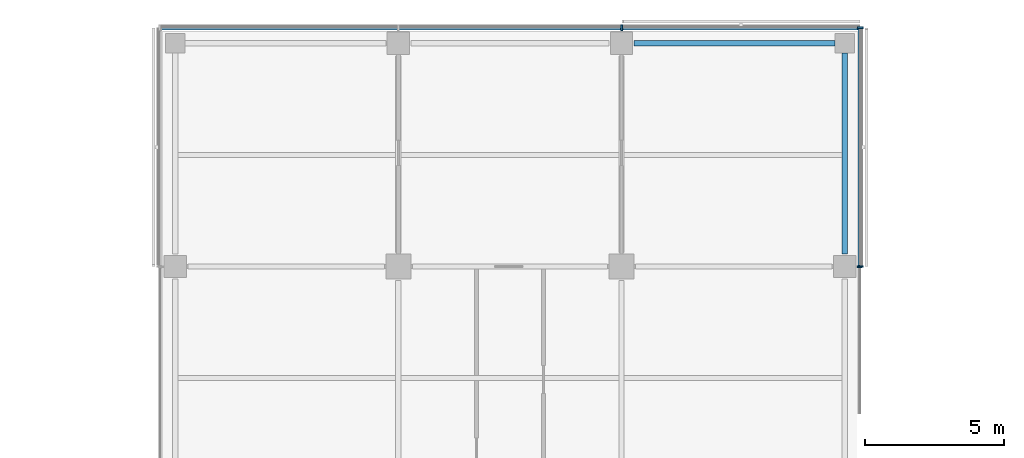
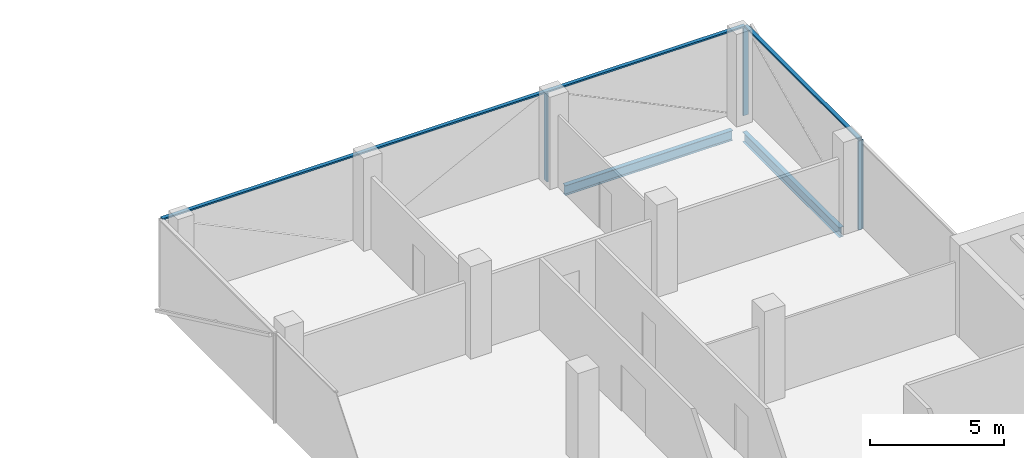
# One storey, part 10 of 22: 6 members, 2 beams, 3 elements without a shape of their own.
"""IFC4 building model written with IfcOpenShell, lengths in metres."""

from ifc_helpers import new_model, si_unit, direction, frame, origin, origin_2d, place, context, subcontext, project, spatial, rectangle, i_section, extrude, material, material_profile, profile_set, type_object, element, aggregate, save


model = new_model("IFC4")

# Units and contexts
model_context = context("Model", 3, precision=1e-05, world=origin(), true_north=direction((0.0, 1.0)))
body_context = subcontext(model_context, "Body", "Model", "MODEL_VIEW")
ifc_project = project(units=[si_unit("LENGTHUNIT", "METRE"), si_unit("AREAUNIT", "SQUARE_METRE"), si_unit("VOLUMEUNIT", "CUBIC_METRE"), si_unit("PLANEANGLEUNIT", "RADIAN"), si_unit("MASSUNIT", "GRAM", prefix="KILO")], contexts=[model_context])

# Site, building, storey
site_placement = place(None, origin())
site = spatial("IfcSite", under=ifc_project, at=site_placement, CompositionType="ELEMENT")
building_placement = place(site_placement, origin())
building = spatial("IfcBuilding", under=site, at=building_placement, Name="Crosswind Convention Tower", CompositionType="ELEMENT")
storey_placement = place(building_placement, frame((0.0, 0.0, 167.300048828125)))
storey = spatial("IfcBuildingStorey", under=building, at=storey_placement, Name="L35", CompositionType="ELEMENT", Elevation=167.300048828125)

# Beams
ifc_material_1 = material(Name="Steel S355", Category="steel")
ifc_material_profile_1 = material_profile(ifc_material_1, i_section(OverallWidth=0.18994140625, OverallDepth=0.45361328125, WebThickness=0.008544921875, FlangeThickness=0.0126953125, FilletRadius=0.01025390625, at=origin_2d()), Name="UB 457x191x67")
ifc_profile_set_1 = profile_set([ifc_material_profile_1], Name="Steel S355")
beam_type = type_object("IfcBeamType", Name="Edge beam UB 457x191x67", PredefinedType="SPANDREL", material=ifc_profile_set_1)
for number, where, z_axis, x_axis, name in (
    (1, (129.449951171875, 128.0, -0.52685546875), (1.0, 0.0, 0.0), (0.0, 1.0, 0.0), "B16 L35 edge beam 15"),
    (2, (137.0, 120.449951171875, -0.52685546875), (0.0, 1.0, 0.0), (-1.0, 0.0, 0.0), "B16 L35 edge beam 19"),
):
    element("IfcBeam", number, at=place(storey_placement, frame(where, z_axis=z_axis, x_axis=x_axis)), inside=storey, type_object=beam_type, Name=name, PredefinedType="SPANDREL", context=body_context, shape_type="SweptSolid", body=[
        extrude(i_section(OverallWidth=0.18994140625, OverallDepth=0.45361328125, WebThickness=0.008544921875, FlangeThickness=0.0126953125, FilletRadius=0.01025390625, at=origin_2d()), origin(), (0.0, 0.0, 1.0), 7.199951171875),
    ])

# Curtain wall, member
ifc_material_2 = material(Name="Aluminium unitised curtain wall", Category="aluminium")
curtain_wall_type_1 = type_object("IfcCurtainWallType", Name="CORE END SLOT WALL 160", PredefinedType="USERDEFINED", material=ifc_material_2)
curtain_wall_1_placement = place(storey_placement, origin())
curtain_wall_1 = element("IfcCurtainWall", 3, at=curtain_wall_1_placement, inside=storey, type_object=curtain_wall_type_1, Name="CW6 L35 N-E.1-1 slot", ObjectType="UNITISED", PredefinedType="USERDEFINED")
ifc_material_3 = material(Name="Aluminium mullion", Category="aluminium")
ifc_material_profile_2 = material_profile(ifc_material_3, rectangle(XDim=0.159912109375, YDim=0.050048828125, at=origin_2d()), Name="AL 160X50")
ifc_profile_set_2 = profile_set([ifc_material_profile_2], Name="Aluminium mullion")
member_type_1 = type_object("IfcMemberType", Name="MULLION 50X160", PredefinedType="MULLION", material=ifc_profile_set_2)
member_1_placement = place(storey_placement, frame((137.530029296875, 119.97509765625, -0.300048828125), z_axis=(0.0, 0.0, 1.0), x_axis=(1.0, 0.0, 0.0)))
member_1 = element("IfcMember", 4, at=member_1_placement, type_object=member_type_1, Name="CW6 mullion 2", PredefinedType="MULLION", context=body_context, shape_type="SweptSolid", body=[
    extrude(rectangle(XDim=0.159912109375, YDim=0.050048828125, at=origin_2d()), origin(), (0.0, 0.0, 1.0), 4.050048828125),
])
aggregate(curtain_wall_1, [member_1])

# Curtain wall, members
curtain_wall_type_2 = type_object("IfcCurtainWallType", Name="OFFICE UNITISED WALL 220", PredefinedType="USERDEFINED", material=ifc_material_2)
curtain_wall_2_placement = place(storey_placement, origin())
curtain_wall_2 = element("IfcCurtainWall", 5, at=curtain_wall_2_placement, inside=storey, type_object=curtain_wall_type_2, Name="CW3 L35 N-E 1", ObjectType="UNITISED", PredefinedType="USERDEFINED")
ifc_material_profile_3 = material_profile(ifc_material_3, rectangle(XDim=0.219970703125, YDim=0.070068359375, at=origin_2d()), Name="AL 220X70")
ifc_profile_set_3 = profile_set([ifc_material_profile_3], Name="Aluminium mullion")
member_type_2 = type_object("IfcMemberType", Name="MULLION 70X220", PredefinedType="MULLION", material=ifc_profile_set_3)
member_2_placement = place(storey_placement, frame((137.56005859375, 120.0, -0.300048828125), z_axis=(0.0, 0.0, 1.0), x_axis=(1.0, 0.0, 0.0)))
member_2 = element("IfcMember", 6, at=member_2_placement, type_object=member_type_2, Name="CW3 mullion 1", PredefinedType="MULLION", context=body_context, shape_type="SweptSolid", body=[
    extrude(rectangle(XDim=0.219970703125, YDim=0.070068359375, at=origin_2d()), origin(), (0.0, 0.0, 1.0), 4.030029296875),
])
member_3_placement = place(storey_placement, frame((137.56005859375, 128.56005859375, -0.300048828125), z_axis=(0.0, 0.0, 1.0), x_axis=(1.0, 0.0, 0.0)))
member_3 = element("IfcMember", 7, at=member_3_placement, type_object=member_type_2, Name="CW3 mullion 2", PredefinedType="MULLION", context=body_context, shape_type="SweptSolid", body=[
    extrude(rectangle(XDim=0.219970703125, YDim=0.070068359375, at=origin_2d()), origin(), (0.0, 0.0, 1.0), 4.030029296875),
])

# Curtain wall, member
curtain_wall_3_placement = place(storey_placement, origin())
curtain_wall_3 = element("IfcCurtainWall", 8, at=curtain_wall_3_placement, inside=storey, type_object=curtain_wall_type_2, Name="CW3 L35 N-TIP 1", ObjectType="UNITISED", PredefinedType="USERDEFINED")
member_4_placement = place(storey_placement, frame((129.0, 128.56005859375, -0.300048828125), z_axis=(0.0, 0.0, 1.0), x_axis=(0.0, 1.0, 0.0)))
member_4 = element("IfcMember", 9, at=member_4_placement, type_object=member_type_2, Name="CW3 mullion 2", PredefinedType="MULLION", context=body_context, shape_type="SweptSolid", body=[
    extrude(rectangle(XDim=0.219970703125, YDim=0.070068359375, at=origin_2d()), origin(), (0.0, 0.0, 1.0), 4.030029296875),
])

# Member
ifc_material_4 = material(Name="Aluminium transom", Category="aluminium")
ifc_material_profile_4 = material_profile(ifc_material_4, rectangle(XDim=0.159912109375, YDim=0.070068359375, at=origin_2d()), Name="AL 160X70")
ifc_profile_set_4 = profile_set([ifc_material_profile_4], Name="Aluminium transom")
member_type_3 = type_object("IfcMemberType", Name="TRANSOM 70X160", PredefinedType="USERDEFINED", material=ifc_profile_set_4)
member_5_placement = place(storey_placement, frame((137.56005859375, 120.034912109375, 3.764892578125), z_axis=(0.0, 1.0, 0.0), x_axis=(-1.0, 0.0, 0.0)))
member_5 = element("IfcMember", 10, at=member_5_placement, type_object=member_type_3, Name="CW3 transom", ObjectType="TRANSOM", PredefinedType="USERDEFINED", context=body_context, shape_type="SweptSolid", body=[
    extrude(rectangle(XDim=0.159912109375, YDim=0.070068359375, at=origin_2d()), origin(), (0.0, 0.0, 1.0), 8.489990234375),
])

aggregate(curtain_wall_2, [member_2, member_3, member_5])

member_6_placement = place(storey_placement, frame((137.52490234375, 128.56005859375, 3.764892578125), z_axis=(-1.0, 0.0, 0.0), x_axis=(0.0, -1.0, 0.0)))
member_6 = element("IfcMember", 11, at=member_6_placement, type_object=member_type_3, Name="CW3 transom", ObjectType="TRANSOM", PredefinedType="USERDEFINED", context=body_context, shape_type="SweptSolid", body=[
    extrude(rectangle(XDim=0.159912109375, YDim=0.070068359375, at=origin_2d()), origin(), (0.0, 0.0, 1.0), 25.0498046875),
])

aggregate(curtain_wall_3, [member_4, member_6])

save(model, "model.ifc")
